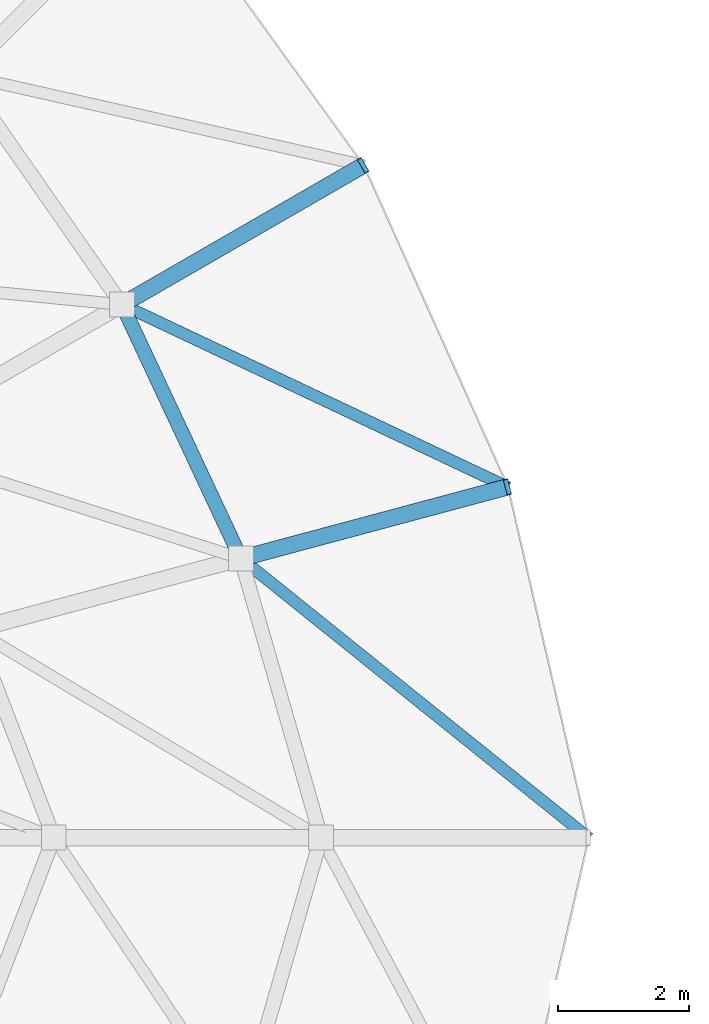
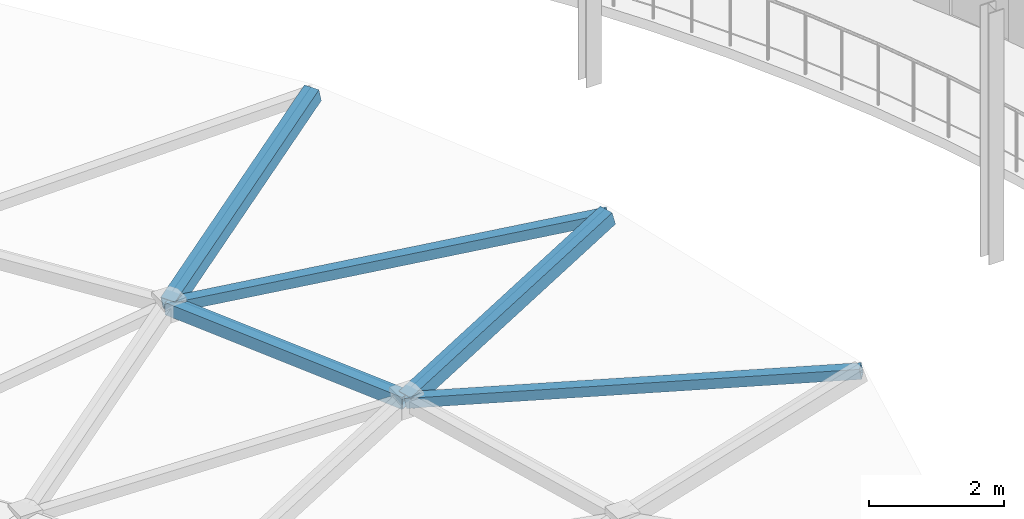
# One storey, part 25 of 116: 5 members.
"""IFC4 building model written with IfcOpenShell, lengths in metres."""

from ifc_helpers import new_model, si_unit, direction, frame, origin, origin_2d, place, context, subcontext, project, spatial, hollow_rectangle, extrude, material, material_profile, profile_set, type_object, element, save


model = new_model("IFC4")

# Units and contexts
model_context = context("Model", 3, precision=1e-05, world=origin(), true_north=direction((0.0, 1.0)))
body_context = subcontext(model_context, "Body", "Model", "MODEL_VIEW")
ifc_project = project(units=[si_unit("LENGTHUNIT", "METRE"), si_unit("AREAUNIT", "SQUARE_METRE"), si_unit("VOLUMEUNIT", "CUBIC_METRE"), si_unit("PLANEANGLEUNIT", "RADIAN"), si_unit("MASSUNIT", "GRAM", prefix="KILO")], contexts=[model_context])

# Site, building, storey
site_placement = place(None, origin())
site = spatial("IfcSite", under=ifc_project, at=site_placement, CompositionType="ELEMENT")
building_placement = place(site_placement, origin())
building = spatial("IfcBuilding", under=site, at=building_placement, Name="Almandine Court Research Institute", CompositionType="ELEMENT")
storey_placement = place(building_placement, frame((0.0, 0.0, 14.35009765625)))
storey = spatial("IfcBuildingStorey", under=building, at=storey_placement, Name="L03", CompositionType="ELEMENT", Elevation=14.35009765625)

# Members
ifc_material = material(Name="Steel ASTM A500 Grade C", Category="steel")
ifc_material_profile_1 = material_profile(ifc_material, hollow_rectangle(XDim=0.25, YDim=0.25, WallThickness=0.010009765625, at=origin_2d()), Name="HSS 250x250x10")
ifc_profile_set_1 = profile_set([ifc_material_profile_1], Name="Steel ASTM A500 Grade C")
member_type_1 = type_object("IfcMemberType", Name="Mem-GS-AR1", PredefinedType="RAFTER", material=ifc_profile_set_1)
member_1_placement = place(storey_placement, frame((107.0400390625, 61.3701171875, 4.77099609375), z_axis=(-0.925809514267, -0.248174536061, -0.285107248144), x_axis=(0.25892088645, -0.965898532228, 0.0)))
element("IfcMember", 1, at=member_1_placement, inside=storey, type_object=member_type_1, Name="Atrium Conical Gridshell Radial Rib R4-S01", PredefinedType="RAFTER", context=body_context, shape_type="SweptSolid", body=[
    extrude(hollow_rectangle(XDim=0.25, YDim=0.25, WallThickness=0.010009765625, at=origin_2d()), origin(), (0.0, 0.0, 1.0), 4.4091796875),
])
member_2_placement = place(storey_placement, frame((104.8310546875, 66.294921875, 4.77099609375), z_axis=(-0.830700468478, -0.479611347077, -0.282683015808), x_axis=(0.500004853958, -0.866022601332, 0.0)))
element("IfcMember", 2, at=member_2_placement, inside=storey, type_object=member_type_1, Name="Atrium Conical Gridshell Radial Rib R4-S02", PredefinedType="RAFTER", context=body_context, shape_type="SweptSolid", body=[
    extrude(hollow_rectangle(XDim=0.25, YDim=0.25, WallThickness=0.010009765625, at=origin_2d()), origin(), (0.0, 0.0, 1.0), 4.447021484375),
])
ifc_material_profile_2 = material_profile(ifc_material, hollow_rectangle(XDim=0.179931640625, YDim=0.179931640625, WallThickness=0.008056640625, at=origin_2d()), Name="HSS 180x180x8")
ifc_profile_set_2 = profile_set([ifc_material_profile_2], Name="Steel ASTM A500 Grade C")
member_type_2 = type_object("IfcMemberType", Name="Mem-GS-BR1", PredefinedType="BRACE", material=ifc_profile_set_2)
member_3_placement = place(storey_placement, frame((108.279052734375, 56.0, 4.77099609375), z_axis=(-0.766615252197, 0.616035766322, -0.181110435126), x_axis=(-0.626394600994, -0.779506128164, 0.0)))
element("IfcMember", 3, at=member_3_placement, inside=storey, type_object=member_type_2, Name="Atrium Conical Gridshell Diagonal Brace R4-S00", PredefinedType="BRACE", context=body_context, shape_type="SweptSolid", body=[
    extrude(hollow_rectangle(XDim=0.179931640625, YDim=0.179931640625, WallThickness=0.008056640625, at=origin_2d()), origin(), (0.0, 0.0, 1.0), 6.94091796875),
])
member_4_placement = place(storey_placement, frame((107.0400390625, 61.3701171875, 4.77099609375), z_axis=(-0.887687863886, 0.41985187193, -0.189036139259), x_axis=(-0.427560736017, -0.903986624357, 0.0)))
element("IfcMember", 4, at=member_4_placement, inside=storey, type_object=member_type_2, Name="Atrium Conical Gridshell Diagonal Brace R4-S01", PredefinedType="BRACE", context=body_context, shape_type="SweptSolid", body=[
    extrude(hollow_rectangle(XDim=0.179931640625, YDim=0.179931640625, WallThickness=0.008056640625, at=origin_2d()), origin(), (0.0, 0.0, 1.0), 6.64990234375),
])
ifc_material_profile_3 = material_profile(ifc_material, hollow_rectangle(XDim=0.219970703125, YDim=0.219970703125, WallThickness=0.010009765625, at=origin_2d()), Name="HSS 220x220x10")
ifc_profile_set_3 = profile_set([ifc_material_profile_3], Name="Steel ASTM A500 Grade C")
member_type_3 = type_object("IfcMemberType", Name="Mem-GS-ST1", PredefinedType="COLLAR", material=ifc_profile_set_3)
member_5_placement = place(storey_placement, frame((102.9580078125, 60.27587890625, 3.513916015625), z_axis=(-0.424314361359, 0.905514948935, 0.0), x_axis=(-0.905514948935, -0.424314361359, 0.0)))
element("IfcMember", 5, at=member_5_placement, inside=storey, type_object=member_type_3, Name="Atrium Conical Gridshell Hoop Ring R5-S01", PredefinedType="COLLAR", context=body_context, shape_type="SweptSolid", body=[
    extrude(hollow_rectangle(XDim=0.219970703125, YDim=0.219970703125, WallThickness=0.010009765625, at=origin_2d()), origin(), (0.0, 0.0, 1.0), 4.291748046875),
])

save(model, "model.ifc")
